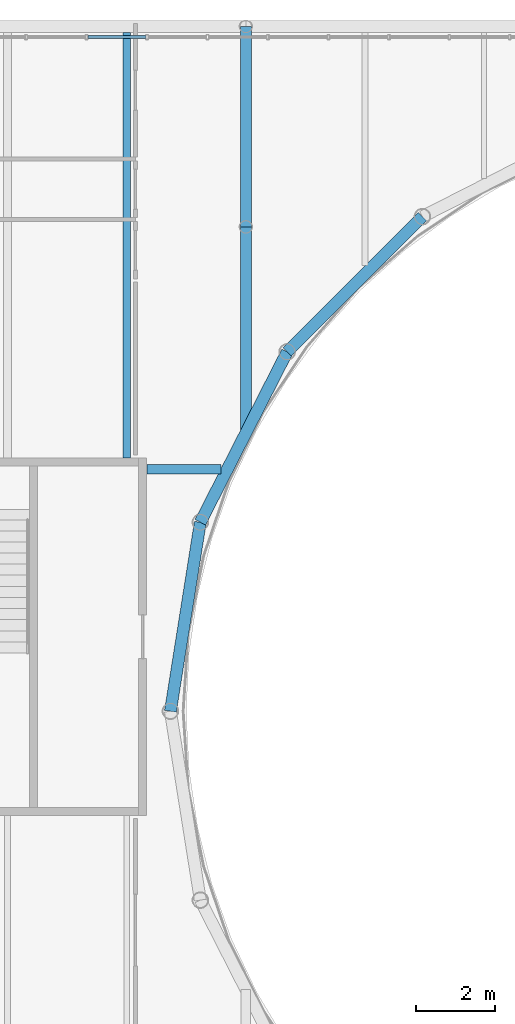
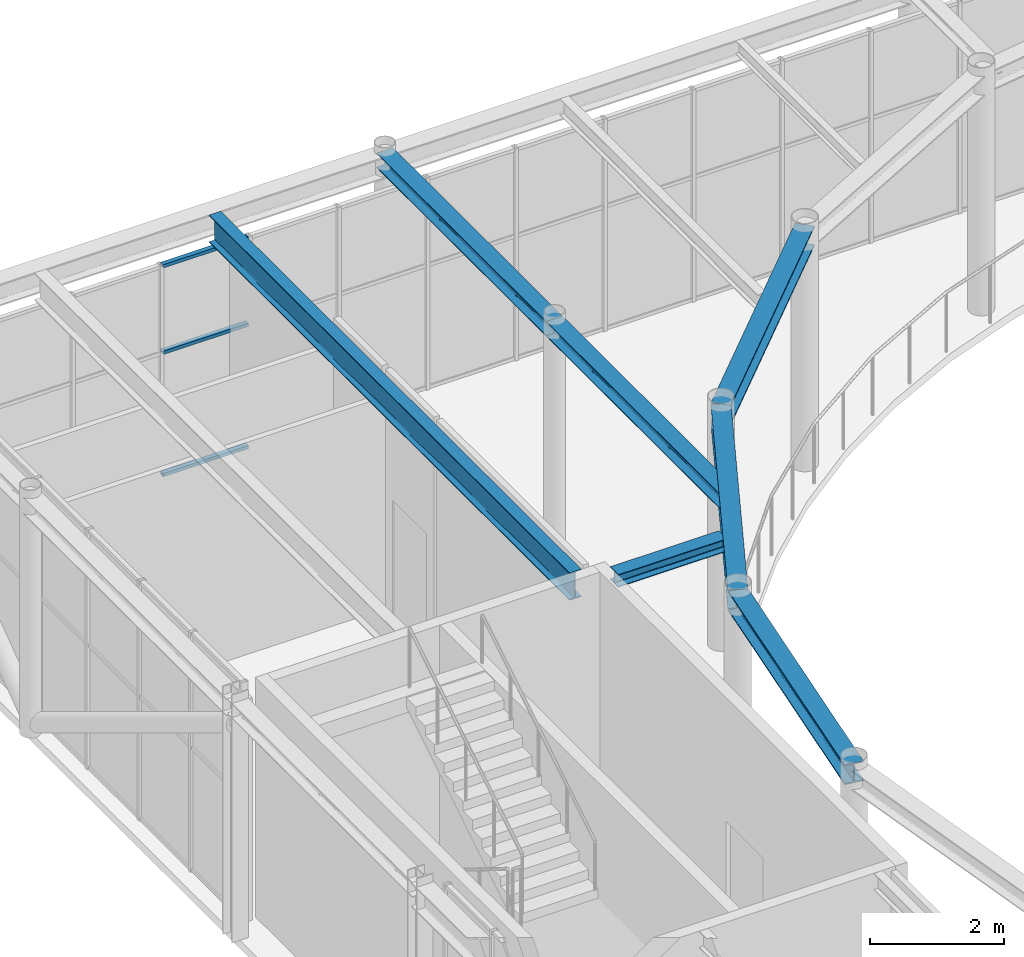
# One storey, part 35 of 70: 7 beams, 3 members, 1 element without a shape of its own.
"""IFC4 building model written with IfcOpenShell, lengths in metres."""

from ifc_helpers import new_model, si_unit, direction, frame, origin, origin_2d, place, context, subcontext, project, spatial, hollow_rectangle, i_section, extrude, material, layer, layer_set, material_profile, profile_set, type_object, element, aggregate, save


model = new_model("IFC4")

# Units and contexts
model_context = context("Model", 3, precision=1e-05, world=origin(), true_north=direction((0.0, 1.0)))
body_context = subcontext(model_context, "Body", "Model", "MODEL_VIEW")
ifc_project = project(units=[si_unit("LENGTHUNIT", "METRE"), si_unit("AREAUNIT", "SQUARE_METRE"), si_unit("VOLUMEUNIT", "CUBIC_METRE"), si_unit("PLANEANGLEUNIT", "RADIAN"), si_unit("MASSUNIT", "GRAM", prefix="KILO")], contexts=[model_context])

# Site, building, storey
site_placement = place(None, origin())
site = spatial("IfcSite", under=ifc_project, at=site_placement, CompositionType="ELEMENT")
building_placement = place(site_placement, origin())
building = spatial("IfcBuilding", under=site, at=building_placement, Name="Kallimachos Central Library", CompositionType="ELEMENT")
storey_placement = place(building_placement, frame((0.0, 0.0, 18.89990234375)))
storey = spatial("IfcBuildingStorey", under=building, at=storey_placement, Name="L04", CompositionType="ELEMENT", Elevation=18.89990234375)

# Curtain wall, members
ifc_material_1 = material(Name="Anodised aluminium and laminated glass", Category="aluminium")
ifc_layer = layer(ifc_material_1, 0.159912109375)
ifc_layer_set = layer_set([ifc_layer], Name="Glass box curtain wall")
curtain_wall_type = type_object("IfcCurtainWallType", Name="Glass box curtain wall", PredefinedType="NOTDEFINED", material=ifc_layer_set)
curtain_wall_placement = place(storey_placement, origin())
curtain_wall = element("IfcCurtainWall", 1, at=curtain_wall_placement, inside=storey, type_object=curtain_wall_type, Name="Glass box curtain wall N L04", PredefinedType="NOTDEFINED")
ifc_material_2 = material(Name="Anodised aluminium", Category="aluminium")
ifc_material_profile_1 = material_profile(ifc_material_2, hollow_rectangle(XDim=0.06005859375, YDim=0.080078125, WallThickness=0.00390625, at=origin_2d()), Name="ALU TRANSOM 60x80")
ifc_profile_set_1 = profile_set([ifc_material_profile_1], Name="Anodised aluminium")
member_type = type_object("IfcMemberType", Name="Glass box transom 60x80", PredefinedType="USERDEFINED", material=ifc_profile_set_1)
member_1_placement = place(storey_placement, frame((70.518310546875, 121.3798828125, 0.030029296875), z_axis=(1.0, 0.0, 0.0), x_axis=(0.0, 0.0, 1.0)))
member_1 = element("IfcMember", 2, at=member_1_placement, type_object=member_type, Name="CW34 transom 4.1", ObjectType="TRANSOM", PredefinedType="USERDEFINED", context=body_context, shape_type="SweptSolid", body=[
    extrude(hollow_rectangle(XDim=0.06005859375, YDim=0.080078125, WallThickness=0.00390625, at=origin_2d()), origin(), (0.0, 0.0, 1.0), 1.462646484375),
])
member_2_placement = place(storey_placement, frame((70.518310546875, 121.3798828125, 2.25), z_axis=(1.0, 0.0, 0.0), x_axis=(0.0, 0.0, 1.0)))
member_2 = element("IfcMember", 3, at=member_2_placement, type_object=member_type, Name="CW34 transom 4.2", ObjectType="TRANSOM", PredefinedType="USERDEFINED", context=body_context, shape_type="SweptSolid", body=[
    extrude(hollow_rectangle(XDim=0.06005859375, YDim=0.080078125, WallThickness=0.00390625, at=origin_2d()), origin(), (0.0, 0.0, 1.0), 1.462646484375),
])
member_3_placement = place(storey_placement, frame((70.518310546875, 121.3798828125, 3.820068359375), z_axis=(1.0, 0.0, 0.0), x_axis=(0.0, 0.0, 1.0)))
member_3 = element("IfcMember", 4, at=member_3_placement, type_object=member_type, Name="CW34 transom 4.3", ObjectType="TRANSOM", PredefinedType="USERDEFINED", context=body_context, shape_type="SweptSolid", body=[
    extrude(hollow_rectangle(XDim=0.06005859375, YDim=0.080078125, WallThickness=0.00390625, at=origin_2d()), origin(), (0.0, 0.0, 1.0), 1.462646484375),
])
aggregate(curtain_wall, [member_1, member_2, member_3])

# Beams
ifc_material_3 = material(Name="Steel S355J2", Category="steel")
ifc_material_profile_2 = material_profile(ifc_material_3, i_section(OverallWidth=0.239990234375, OverallDepth=0.22998046875, WebThickness=0.007568359375, FlangeThickness=0.011962890625, FilletRadius=0.02099609375, at=origin_2d()), Name="HEA 240")
ifc_profile_set_2 = profile_set([ifc_material_profile_2], Name="Steel S355J2")
beam_type_1 = type_object("IfcBeamType", Name="HEA 240 beam", PredefinedType="BEAM", material=ifc_profile_set_2)
beam_1_placement = place(storey_placement, frame((72.0048828125, 110.5, 4.235107421875), z_axis=(1.0, 0.0, 0.0), x_axis=(0.0, 1.0, 0.0)))
element("IfcBeam", 5, at=beam_1_placement, inside=storey, type_object=beam_type_1, Name="V1-BEM-L04-042", PredefinedType="BEAM", context=body_context, shape_type="SweptSolid", body=[
    extrude(i_section(OverallWidth=0.239990234375, OverallDepth=0.22998046875, WebThickness=0.007568359375, FlangeThickness=0.011962890625, FilletRadius=0.02099609375, at=origin_2d()), origin(), (0.0, 0.0, 1.0), 1.86376953125),
])
ifc_material_4 = material(Name="Steel S355J2", Category="steel")
ifc_material_profile_3 = material_profile(ifc_material_4, i_section(OverallWidth=0.280029296875, OverallDepth=0.27001953125, WebThickness=0.008056640625, FlangeThickness=0.012939453125, FilletRadius=0.02392578125, at=origin_2d()), Name="HEA 280")
ifc_profile_set_3 = profile_set([ifc_material_profile_3], Name="Steel S355J2")
beam_type_2 = type_object("IfcBeamType", Name="HEA 280 beam", PredefinedType="BEAM", material=ifc_profile_set_3)
beam_2_placement = place(storey_placement, frame((74.5, 111.40869140625, 4.215087890625), z_axis=(0.0, 1.0, 0.0), x_axis=(-1.0, 0.0, 0.0)))
element("IfcBeam", 6, at=beam_2_placement, inside=storey, type_object=beam_type_2, Name="V1-BEM-L04-026", PredefinedType="BEAM", context=body_context, shape_type="SweptSolid", body=[
    extrude(i_section(OverallWidth=0.280029296875, OverallDepth=0.27001953125, WebThickness=0.008056640625, FlangeThickness=0.012939453125, FilletRadius=0.02392578125, at=origin_2d()), origin(), (0.0, 0.0, 1.0), 5.19140625),
])
beam_3_placement = place(storey_placement, frame((74.5, 116.60009765625, 4.215087890625), z_axis=(0.0, 1.0, 0.0), x_axis=(-1.0, 0.0, 0.0)))
element("IfcBeam", 7, at=beam_3_placement, inside=storey, type_object=beam_type_2, Name="V1-BEM-L04-027", PredefinedType="BEAM", context=body_context, shape_type="SweptSolid", body=[
    extrude(i_section(OverallWidth=0.280029296875, OverallDepth=0.27001953125, WebThickness=0.008056640625, FlangeThickness=0.012939453125, FilletRadius=0.02392578125, at=origin_2d()), origin(), (0.0, 0.0, 1.0), 5.0498046875),
])
ifc_material_5 = material(Name="Steel S355J2", Category="steel")
ifc_material_profile_4 = material_profile(ifc_material_5, i_section(OverallWidth=0.300048828125, OverallDepth=0.360107421875, WebThickness=0.012451171875, FlangeThickness=0.0224609375, FilletRadius=0.027099609375, at=origin_2d()), Name="HEB 360")
ifc_profile_set_4 = profile_set([ifc_material_profile_4], Name="Steel S355J2")
beam_type_3 = type_object("IfcBeamType", Name="HEB 360 beam", PredefinedType="BEAM", material=ifc_profile_set_4)
for number, where, z_axis, x_axis, name in (
    (8, (78.947998046875, 116.85888671875, 4.170166015625), (-0.707106781187, -0.707106781187, 0.0), (0.707106781187, -0.707106781187, 0.0), "V1-BEM-L04-008"),
    (9, (75.541015625, 113.451904296875, 4.170166015625), (-0.453970566426, -0.891016680438, 0.0), (0.891016680438, -0.453970566426, 0.0), "V1-BEM-L04-009"),
):
    element("IfcBeam", number, at=place(storey_placement, frame(where, z_axis=z_axis, x_axis=x_axis)), inside=storey, type_object=beam_type_3, Name=name, PredefinedType="BEAM", context=body_context, shape_type="SweptSolid", body=[
        extrude(i_section(OverallWidth=0.300048828125, OverallDepth=0.360107421875, WebThickness=0.012451171875, FlangeThickness=0.0224609375, FilletRadius=0.027099609375, at=origin_2d()), origin(), (0.0, 0.0, 1.0), 4.818115234375),
    ])
beam_4_placement = place(storey_placement, frame((73.353759765625, 109.158935546875, 4.170166015625), z_axis=(-0.15641529171, -0.987691377162, 0.0), x_axis=(0.987691377162, -0.15641529171, 0.0)))
element("IfcBeam", 10, at=beam_4_placement, inside=storey, type_object=beam_type_3, Name="V1-BEM-L04-010", PredefinedType="BEAM", context=body_context, shape_type="SweptSolid", body=[
    extrude(i_section(OverallWidth=0.300048828125, OverallDepth=0.360107421875, WebThickness=0.012451171875, FlangeThickness=0.0224609375, FilletRadius=0.027099609375, at=origin_2d()), origin(), (0.0, 0.0, 1.0), 4.818359375),
])
ifc_material_6 = material(Name="Steel S355J2", Category="steel")
ifc_material_profile_5 = material_profile(ifc_material_6, i_section(OverallWidth=0.199951171875, OverallDepth=0.5, WebThickness=0.01025390625, FlangeThickness=0.01611328125, FilletRadius=0.02099609375, at=origin_2d()), Name="IPE 500")
ifc_profile_set_5 = profile_set([ifc_material_profile_5], Name="Steel S355J2")
beam_type_4 = type_object("IfcBeamType", Name="IPE 500 beam", PredefinedType="BEAM", material=ifc_profile_set_5)
beam_5_placement = place(storey_placement, frame((71.5, 110.780029296875, 4.10009765625), z_axis=(0.0, 1.0, 0.0), x_axis=(-1.0, 0.0, 0.0)))
element("IfcBeam", 11, at=beam_5_placement, inside=storey, type_object=beam_type_4, Name="V1-BEM-L04-052", PredefinedType="BEAM", context=body_context, shape_type="SweptSolid", body=[
    extrude(i_section(OverallWidth=0.199951171875, OverallDepth=0.5, WebThickness=0.01025390625, FlangeThickness=0.01611328125, FilletRadius=0.02099609375, at=origin_2d()), origin(), (0.0, 0.0, 1.0), 10.719970703125),
])

save(model, "model.ifc")
